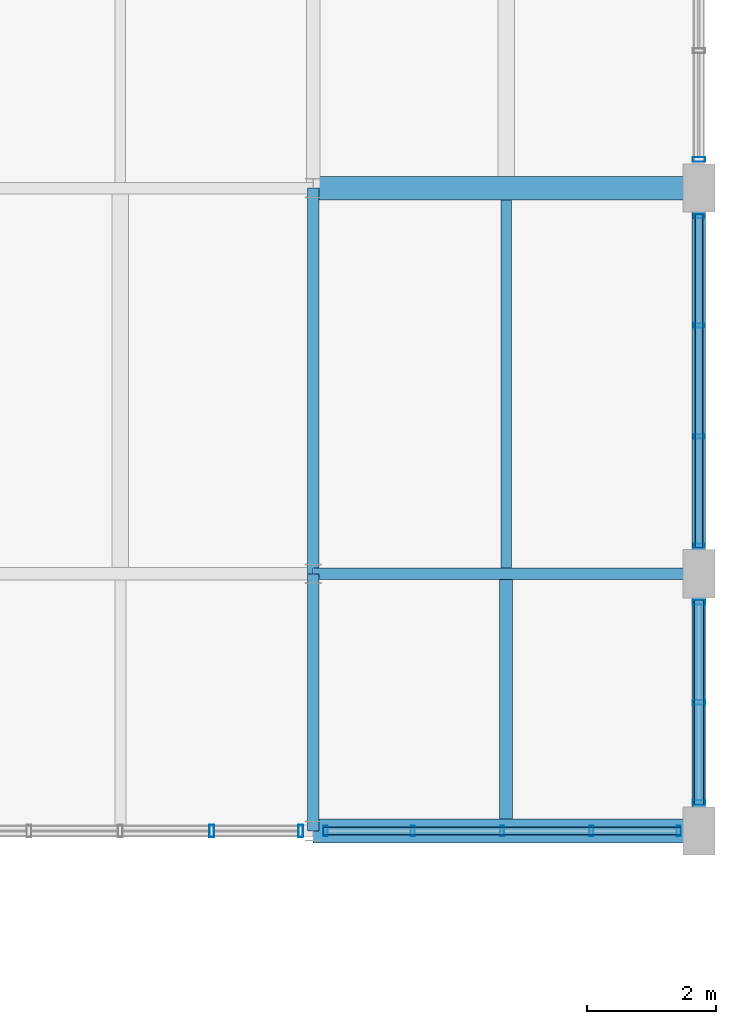
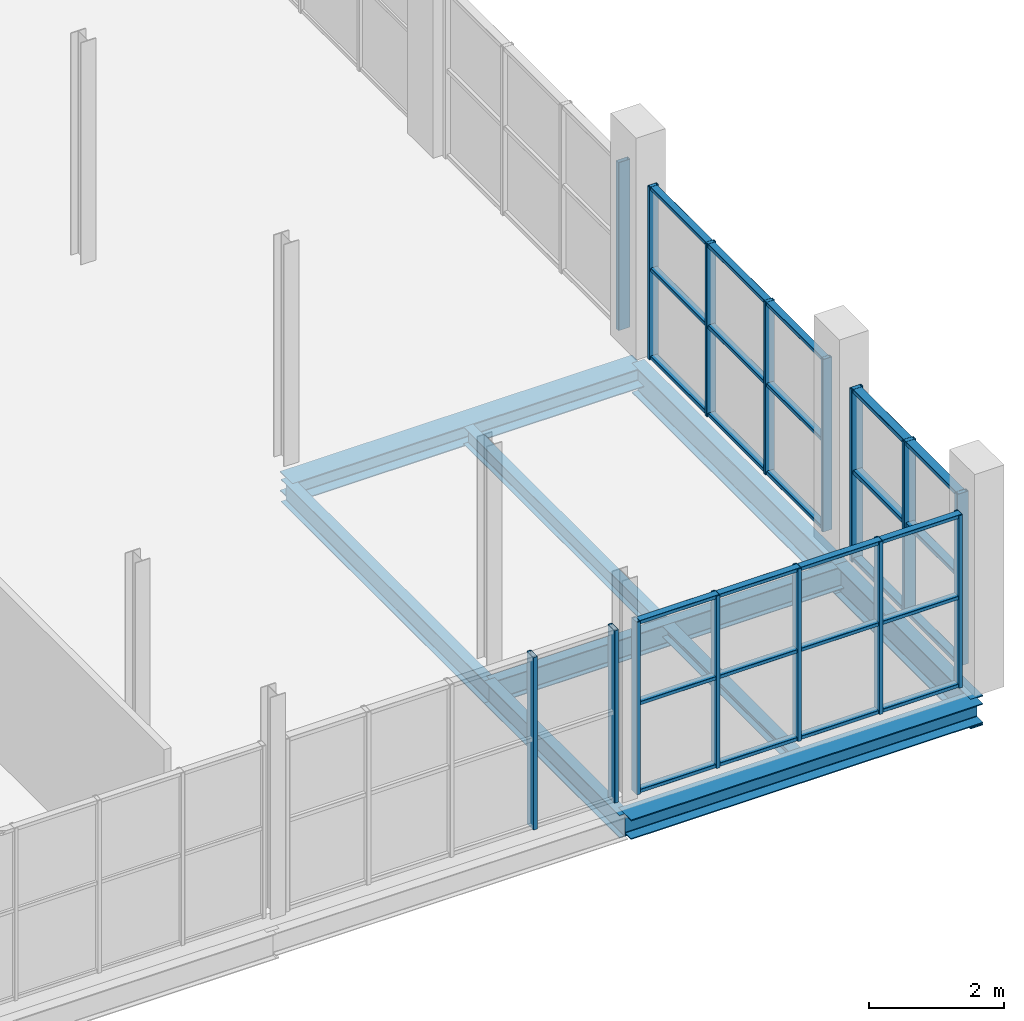
# One storey, part 65 of 96: 24 members, 9 beams, 5 elements without a shape of their own.
"""IFC4 building model written with IfcOpenShell, lengths in metres."""

import ifcopenshell
import ifcopenshell.guid

model = None  # the IFC model being written
_history = None  # IfcOwnerHistory: only IFC2X3 demands one
_inside = {}  # id of a spatial element -> (the spatial element, [elements in it])
_under = {}  # id of a project, library or spatial element -> (it, [spatial elements below it])
_declared = {}  # id of a project -> (the project, [libraries it declares])
_typed = {}  # id of a type object -> (the type object, [elements of that type])
_made_of = {}  # id of a material, layer set ... -> (it, [elements and type objects made of it])


def new_model(schema):
    """Start an empty IFC model of exactly this schema.

    Asked for "IFC4X3", IfcOpenShell would pick the latest addendum, in which some entities
    have other attributes; the version numbers below select the first issue.
    IFC2X3 requires an IfcOwnerHistory on every rooted entity: one is made here for all.
    """
    global model, _history
    if schema == "IFC4X3":
        model = ifcopenshell.file(schema_version=(4, 3, 0, 0))
    else:
        model = ifcopenshell.file(schema=schema)
    _inside.clear()
    _under.clear()
    _declared.clear()
    _typed.clear()
    _made_of.clear()
    _history = None
    if model.schema == "IFC2X3":
        org = make("IfcOrganization", Name="unknown")
        user = make(
            "IfcPersonAndOrganization",
            ThePerson=make("IfcPerson", FamilyName="unknown"),
            TheOrganization=org,
        )
        app = make(
            "IfcApplication",
            ApplicationDeveloper=org,
            Version="unknown",
            ApplicationFullName="unknown",
            ApplicationIdentifier="unknown",
        )
        _history = make(
            "IfcOwnerHistory",
            OwningUser=user,
            OwningApplication=app,
            ChangeAction="ADDED",
            CreationDate=0,
        )
    return model


def make(cls, **values):
    """One entity of the class cls with the attributes given. An attribute that is None is left unset."""
    return model.create_entity(
        cls, **{name: value for name, value in values.items() if value is not None}
    )


def rooted(cls, **values):
    """An entity with a GlobalId (a new one), such as an element, a storey or a relation."""
    return make(cls, GlobalId=ifcopenshell.guid.new(), OwnerHistory=_history, **values)


def si_unit(unit_type, name, prefix=None):
    """IfcSIUnit, for example si_unit("LENGTHUNIT", "METRE", prefix="MILLI")."""
    return make("IfcSIUnit", UnitType=unit_type, Prefix=prefix, Name=name)


def assignment(units):
    """IfcUnitAssignment: the units of a project."""
    return None if units is None else make("IfcUnitAssignment", Units=units)


def point(xyz):
    """IfcCartesianPoint."""
    return None if xyz is None else make("IfcCartesianPoint", Coordinates=xyz)


def direction(xyz):
    """IfcDirection."""
    return None if xyz is None else make("IfcDirection", DirectionRatios=xyz)


def frame(location, z_axis=None, x_axis=None):
    """IfcAxis2Placement3D, a coordinate frame: its origin and axes. An axis left out is left unset."""
    return make(
        "IfcAxis2Placement3D",
        Location=point(location),
        Axis=direction(z_axis),
        RefDirection=direction(x_axis),
    )


def frame_2d(location, x_axis=None):
    """IfcAxis2Placement2D, a coordinate frame in the plane: its origin and x axis."""
    return make(
        "IfcAxis2Placement2D", Location=point(location), RefDirection=direction(x_axis)
    )


def origin():
    """The frame at (0, 0, 0) with its axes left unset."""
    return frame((0.0, 0.0, 0.0))


def origin_2d():
    """The frame at (0, 0) in the plane with its x axis left unset."""
    return frame_2d((0.0, 0.0))


def place(relative_to, where):
    """IfcLocalPlacement: puts the frame where relative to a parent placement (None: the world)."""
    return make(
        "IfcLocalPlacement", PlacementRelTo=relative_to, RelativePlacement=where
    )


def context(
    kind, dimensions, precision=None, world=None, true_north=None, identifier=None
):
    """IfcGeometricRepresentationContext, for example the 3D "Model" context."""
    return make(
        "IfcGeometricRepresentationContext",
        ContextIdentifier=identifier,
        ContextType=kind,
        CoordinateSpaceDimension=dimensions,
        Precision=precision,
        WorldCoordinateSystem=world,
        TrueNorth=true_north,
    )


def subcontext(parent, identifier, kind, view, scale=None):
    """IfcGeometricRepresentationSubContext, for example "Body" below "Model"."""
    return make(
        "IfcGeometricRepresentationSubContext",
        ContextIdentifier=identifier,
        ContextType=kind,
        ParentContext=parent,
        TargetScale=scale,
        TargetView=view,
    )


def project(units=None, contexts=None):
    """IfcProject with its units and contexts."""
    return rooted(
        "IfcProject",
        Name="project",
        RepresentationContexts=contexts,
        UnitsInContext=assignment(units),
    )


def spatial(cls, under=None, at=None, **own):
    """A site, building, storey or space (cls), placed at a placement, below another one or the project."""
    s = rooted(cls, ObjectPlacement=at, **own)
    if under is not None:
        _under.setdefault(under.id(), (under, []))[1].append(s)
    return s


def profile(cls, at=None, kind="AREA", **sizes):
    """A parametric profile (cls). Its sizes go by their IFC names, for example OverallWidth=200.0."""
    return make(cls, ProfileType=kind, Position=at, **sizes)


def hollow_rectangle(**sizes):
    """IfcRectangleHollowProfileDef."""
    return profile("IfcRectangleHollowProfileDef", **sizes)


def i_section(**sizes):
    """IfcIShapeProfileDef."""
    return profile("IfcIShapeProfileDef", **sizes)


def extrude(swept, where, along, depth):
    """IfcExtrudedAreaSolid: the profile swept, set in the frame where, extruded along a direction by depth."""
    return make(
        "IfcExtrudedAreaSolid",
        SweptArea=swept,
        Position=where,
        ExtrudedDirection=direction(along),
        Depth=depth,
    )


def shape(context_of_items, identifier, shape_type, items):
    """IfcShapeRepresentation: the items that make up one representation, for example the "Body"."""
    return make(
        "IfcShapeRepresentation",
        ContextOfItems=context_of_items,
        RepresentationIdentifier=identifier,
        RepresentationType=shape_type,
        Items=items,
    )


def material(Name=None, Category=None):
    """IfcMaterial."""
    return make("IfcMaterial", Name=Name, Category=Category)


def material_profile(
    of_material, cross_section, Name=None, Category=None, Priority=None
):
    """IfcMaterialProfile: a cross section and its material."""
    return make(
        "IfcMaterialProfile",
        Name=Name,
        Material=of_material,
        Profile=cross_section,
        Priority=Priority,
        Category=Category,
    )


def profile_set(profiles, Name=None, composite=None):
    """IfcMaterialProfileSet."""
    return make(
        "IfcMaterialProfileSet",
        Name=Name,
        MaterialProfiles=profiles,
        CompositeProfile=composite,
    )


def made_of(thing, what):
    """Note that an element or type object is made of a material, layer set ...; save() writes the relation."""
    if what is not None:
        _made_of.setdefault(what.id(), (what, []))[1].append(thing)
    return thing


def type_object(cls, material=None, **own):
    """A type object (cls), such as IfcWallType, which elements share."""
    return made_of(rooted(cls, **own), material)


def element(
    cls,
    number,
    at=None,
    inside=None,
    cuts=None,
    type_object=None,
    material=None,
    context=None,
    identifier="Body",
    shape_type=None,
    held_by="IfcProductDefinitionShape",
    body=None,
    shapes=None,
    **own,
):
    """One element of the class cls, such as IfcWall. Its Tag is "e" and its number.

    at: its placement. inside: the storey or other place that contains it. cuts: it is an
    opening in that element (IfcRelVoidsElement). A single representation is given by context,
    identifier, shape_type and body (its items); several are given by shapes. held_by: the class
    of the entity that holds the representations. save() writes the other relations.
    """
    e = rooted(cls, Tag="e%d" % number, ObjectPlacement=at, **own)
    if body is not None:
        shapes = [shape(context, identifier, shape_type, body)]
    if shapes is not None:
        e.Representation = make(held_by, Representations=shapes)
    if inside is not None:
        _inside.setdefault(inside.id(), (inside, []))[1].append(e)
    if cuts is not None:
        rooted(
            "IfcRelVoidsElement", RelatingBuildingElement=cuts, RelatedOpeningElement=e
        )
    if type_object is not None:
        _typed.setdefault(type_object.id(), (type_object, []))[1].append(e)
    return made_of(e, material)


def aggregate(whole, parts):
    """IfcRelAggregates: a whole, such as a stair, and the parts it consists of."""
    return rooted("IfcRelAggregates", RelatingObject=whole, RelatedObjects=parts)


def save(model, path):
    """Write the relations noted so far, then the file.

    IfcRelAggregates (storeys below a building ...), IfcRelContainedInSpatialStructure (elements
    in a storey), IfcRelDefinesByType, IfcRelAssociatesMaterial and IfcRelDeclares: one each for
    every whole, place, type object, material and project.
    """
    for whole, parts in _under.values():
        aggregate(whole, parts)
    for where, things in _inside.values():
        rooted(
            "IfcRelContainedInSpatialStructure",
            RelatedElements=things,
            RelatingStructure=where,
        )
    for kind, things in _typed.values():
        rooted("IfcRelDefinesByType", RelatedObjects=things, RelatingType=kind)
    for what, things in _made_of.values():
        rooted("IfcRelAssociatesMaterial", RelatedObjects=things, RelatingMaterial=what)
    for by, libraries in _declared.values():
        rooted("IfcRelDeclares", RelatingContext=by, RelatedDefinitions=libraries)
    model.write(path)


model = new_model("IFC4")

# Units and contexts
model_context = context("Model", 3, precision=1e-05, world=origin(), true_north=direction((0.0, 1.0)))
body_context = subcontext(model_context, "Body", "Model", "MODEL_VIEW")
ifc_project = project(units=[si_unit("LENGTHUNIT", "METRE"), si_unit("AREAUNIT", "SQUARE_METRE"), si_unit("VOLUMEUNIT", "CUBIC_METRE"), si_unit("PLANEANGLEUNIT", "RADIAN"), si_unit("MASSUNIT", "GRAM", prefix="KILO")], contexts=[model_context])

# Site, building, storey
site_placement = place(None, origin())
site = spatial("IfcSite", under=ifc_project, at=site_placement, CompositionType="ELEMENT")
building_placement = place(site_placement, origin())
building = spatial("IfcBuilding", under=site, at=building_placement, Name="Verrall Gate Interchange", CompositionType="ELEMENT")
storey_placement = place(building_placement, frame((0.0, 0.0, 11.39990234375)))
storey = spatial("IfcBuildingStorey", under=building, at=storey_placement, Name="L03", CompositionType="ELEMENT", Elevation=11.39990234375)

# Beams
ifc_material_1 = material(Name="Structural Steel CSA G40.21 350W", Category="steel")
ifc_material_profile_1 = material_profile(ifc_material_1, i_section(OverallWidth=0.2109375, OverallDepth=0.5390625, WebThickness=0.01171875, FlangeThickness=0.018798828125, FilletRadius=0.013916015625, at=origin_2d()), Name="W530x109")
ifc_profile_set_1 = profile_set([ifc_material_profile_1], Name="Structural Steel CSA G40.21 350W")
beam_type_1 = type_object("IfcBeamType", Name="B-10 Structural Beam W530x109", PredefinedType="BEAM", material=ifc_profile_set_1)
beam_1_placement = place(storey_placement, frame((168.0, 12.0, -0.599365234375), z_axis=(0.0, 1.0, 0.0), x_axis=(-1.0, 0.0, 0.0)))
element("IfcBeam", 1, at=beam_1_placement, inside=storey, type_object=beam_type_1, Name="L03 Girder BM-L03-2371 (B-10)", PredefinedType="BEAM", context=body_context, shape_type="SweptSolid", body=[
    extrude(i_section(OverallWidth=0.2109375, OverallDepth=0.5390625, WebThickness=0.01171875, FlangeThickness=0.018798828125, FilletRadius=0.013916015625, at=origin_2d()), origin(), (0.0, 0.0, 1.0), 4.0),
])
beam_2_placement = place(storey_placement, frame((168.0, 16.0, -0.599365234375), z_axis=(0.0, 1.0, 0.0), x_axis=(-1.0, 0.0, 0.0)))
element("IfcBeam", 2, at=beam_2_placement, inside=storey, type_object=beam_type_1, Name="L03 Girder BM-L03-2372 (B-10)", PredefinedType="BEAM", context=body_context, shape_type="SweptSolid", body=[
    extrude(i_section(OverallWidth=0.2109375, OverallDepth=0.5390625, WebThickness=0.01171875, FlangeThickness=0.018798828125, FilletRadius=0.013916015625, at=origin_2d()), origin(), (0.0, 0.0, 1.0), 6.0),
])
ifc_material_2 = material(Name="Structural Steel CSA G40.21 350W", Category="steel")
ifc_material_profile_2 = material_profile(ifc_material_2, i_section(OverallWidth=0.178955078125, OverallDepth=0.409912109375, WebThickness=0.0087890625, FlangeThickness=0.014404296875, FilletRadius=0.011962890625, at=origin_2d()), Name="W410x67")
ifc_profile_set_2 = profile_set([ifc_material_profile_2], Name="Structural Steel CSA G40.21 350W")
beam_type_2 = type_object("IfcBeamType", Name="B-12 Structural Beam W410x67", PredefinedType="BEAM", material=ifc_profile_set_2)
beam_3_placement = place(storey_placement, frame((162.0, 16.0, -0.534912109375), z_axis=(1.0, 0.0, 0.0), x_axis=(0.0, 1.0, 0.0)))
element("IfcBeam", 3, at=beam_3_placement, inside=storey, type_object=beam_type_2, Name="L03 Girder BM-L03-2043 (B-12)", PredefinedType="BEAM", context=body_context, shape_type="SweptSolid", body=[
    extrude(i_section(OverallWidth=0.178955078125, OverallDepth=0.409912109375, WebThickness=0.0087890625, FlangeThickness=0.014404296875, FilletRadius=0.011962890625, at=origin_2d()), origin(), (0.0, 0.0, 1.0), 6.0),
])
beam_4_placement = place(storey_placement, frame((162.0, 12.0, -0.534912109375), z_axis=(0.0, 1.0, 0.0), x_axis=(-1.0, 0.0, 0.0)))
element("IfcBeam", 4, at=beam_4_placement, inside=storey, type_object=beam_type_2, Name="L03 Girder BM-L03-2363 (B-12)", PredefinedType="BEAM", context=body_context, shape_type="SweptSolid", body=[
    extrude(i_section(OverallWidth=0.178955078125, OverallDepth=0.409912109375, WebThickness=0.0087890625, FlangeThickness=0.014404296875, FilletRadius=0.011962890625, at=origin_2d()), origin(), (0.0, 0.0, 1.0), 4.0),
])
beam_5_placement = place(storey_placement, frame((162.0, 16.0, -0.534912109375), z_axis=(0.0, 1.0, 0.0), x_axis=(-1.0, 0.0, 0.0)))
element("IfcBeam", 5, at=beam_5_placement, inside=storey, type_object=beam_type_2, Name="L03 Girder BM-L03-2364 (B-12)", PredefinedType="BEAM", context=body_context, shape_type="SweptSolid", body=[
    extrude(i_section(OverallWidth=0.178955078125, OverallDepth=0.409912109375, WebThickness=0.0087890625, FlangeThickness=0.014404296875, FilletRadius=0.011962890625, at=origin_2d()), origin(), (0.0, 0.0, 1.0), 6.0),
])
ifc_material_3 = material(Name="Structural Steel CSA G40.21 350W", Category="steel")
ifc_material_profile_3 = material_profile(ifc_material_3, i_section(OverallWidth=0.368896484375, OverallDepth=0.35595703125, WebThickness=0.01123046875, FlangeThickness=0.01806640625, FilletRadius=0.014892578125, at=origin_2d()), Name="W360x134")
ifc_profile_set_3 = profile_set([ifc_material_profile_3], Name="Structural Steel CSA G40.21 350W")
beam_type_3 = type_object("IfcBeamType", Name="B-13 Structural Beam W360x134", PredefinedType="BEAM", material=ifc_profile_set_3)
for number, where, z_axis, x_axis, name in (
    (6, (162.0, 12.0, -0.5078125), (1.0, 0.0, 0.0), (0.0, 1.0, 0.0), "L03 Girder BM-L03-2026 (B-13)"),
    (7, (162.0, 22.0, -0.5078125), (1.0, 0.0, 0.0), (0.0, 1.0, 0.0), "L03 Girder BM-L03-2054 (B-13)"),
):
    element("IfcBeam", number, at=place(storey_placement, frame(where, z_axis=z_axis, x_axis=x_axis)), inside=storey, type_object=beam_type_3, Name=name, PredefinedType="BEAM", context=body_context, shape_type="SweptSolid", body=[
        extrude(i_section(OverallWidth=0.368896484375, OverallDepth=0.35595703125, WebThickness=0.01123046875, FlangeThickness=0.01806640625, FilletRadius=0.014892578125, at=origin_2d()), origin(), (0.0, 0.0, 1.0), 6.0),
    ])

# Curtain wall, members
ifc_material_4 = material(Name="Thermally Broken Anodized Aluminium Curtain Wall Framing", Category="aluminium")
curtain_wall_type_1 = type_object("IfcCurtainWallType", Name="CW-36 Unitized Curtain Wall 5559x3110", PredefinedType="NOTDEFINED", material=ifc_material_4)
curtain_wall_1_placement = place(storey_placement, origin())
curtain_wall_1 = element("IfcCurtainWall", 8, at=curtain_wall_1_placement, inside=storey, type_object=curtain_wall_type_1, Name="L03 Unitized Curtain Wall CW-L03-114", PredefinedType="NOTDEFINED")
ifc_material_5 = material(Name="Thermally Broken Anodized Aluminium Curtain Wall Framing", Category="aluminium")
ifc_material_profile_4 = material_profile(ifc_material_5, hollow_rectangle(XDim=0.06494140625, YDim=0.159912109375, WallThickness=0.00390625, InnerFilletRadius=0.00390625, OuterFilletRadius=0.008056640625, at=origin_2d()), Name="CWM160x65x4")
ifc_profile_set_4 = profile_set([ifc_material_profile_4], Name="Thermally Broken Anodized Aluminium Curtain Wall Framing")
member_type_1 = type_object("IfcMemberType", Name="CM-01 Curtain Mullion CWM160x65x4", PredefinedType="MULLION", material=ifc_profile_set_4)
member_1_placement = place(storey_placement, frame((162.19140625, 12.0, 0.0), z_axis=(0.0, 0.0, 1.0), x_axis=(1.0, 0.0, 0.0)))
member_1 = element("IfcMember", 9, at=member_1_placement, type_object=member_type_1, Name="CW-L03-114 Mullion 1", PredefinedType="MULLION", context=body_context, shape_type="SweptSolid", body=[
    extrude(hollow_rectangle(XDim=0.06494140625, YDim=0.159912109375, WallThickness=0.00390625, InnerFilletRadius=0.00390625, OuterFilletRadius=0.008056640625, at=origin_2d()), origin(), (0.0, 0.0, 1.0), 3.110107421875),
])
member_2_placement = place(storey_placement, frame((163.548828125, 12.0, 0.0), z_axis=(0.0, 0.0, 1.0), x_axis=(1.0, 0.0, 0.0)))
member_2 = element("IfcMember", 10, at=member_2_placement, type_object=member_type_1, Name="CW-L03-114 Mullion 2", PredefinedType="MULLION", context=body_context, shape_type="SweptSolid", body=[
    extrude(hollow_rectangle(XDim=0.06494140625, YDim=0.159912109375, WallThickness=0.00390625, InnerFilletRadius=0.00390625, OuterFilletRadius=0.008056640625, at=origin_2d()), origin(), (0.0, 0.0, 1.0), 3.110107421875),
])
member_3_placement = place(storey_placement, frame((164.9384765625, 12.0, 0.0), z_axis=(0.0, 0.0, 1.0), x_axis=(1.0, 0.0, 0.0)))
member_3 = element("IfcMember", 11, at=member_3_placement, type_object=member_type_1, Name="CW-L03-114 Mullion 3", PredefinedType="MULLION", context=body_context, shape_type="SweptSolid", body=[
    extrude(hollow_rectangle(XDim=0.06494140625, YDim=0.159912109375, WallThickness=0.00390625, InnerFilletRadius=0.00390625, OuterFilletRadius=0.008056640625, at=origin_2d()), origin(), (0.0, 0.0, 1.0), 3.110107421875),
])
member_4_placement = place(storey_placement, frame((166.328125, 12.0, 0.0), z_axis=(0.0, 0.0, 1.0), x_axis=(1.0, 0.0, 0.0)))
member_4 = element("IfcMember", 12, at=member_4_placement, type_object=member_type_1, Name="CW-L03-114 Mullion 4", PredefinedType="MULLION", context=body_context, shape_type="SweptSolid", body=[
    extrude(hollow_rectangle(XDim=0.06494140625, YDim=0.159912109375, WallThickness=0.00390625, InnerFilletRadius=0.00390625, OuterFilletRadius=0.008056640625, at=origin_2d()), origin(), (0.0, 0.0, 1.0), 3.110107421875),
])
member_5_placement = place(storey_placement, frame((167.685546875, 12.0, 0.0), z_axis=(0.0, 0.0, 1.0), x_axis=(1.0, 0.0, 0.0)))
member_5 = element("IfcMember", 13, at=member_5_placement, type_object=member_type_1, Name="CW-L03-114 Mullion 5", PredefinedType="MULLION", context=body_context, shape_type="SweptSolid", body=[
    extrude(hollow_rectangle(XDim=0.06494140625, YDim=0.159912109375, WallThickness=0.00390625, InnerFilletRadius=0.00390625, OuterFilletRadius=0.008056640625, at=origin_2d()), origin(), (0.0, 0.0, 1.0), 3.110107421875),
])

ifc_material_6 = material(Name="Thermally Broken Anodized Aluminium Curtain Wall Framing", Category="aluminium")
curtain_wall_type_2 = type_object("IfcCurtainWallType", Name="CW-38 Unitized Curtain Wall 5186x3110", PredefinedType="NOTDEFINED", material=ifc_material_6)
curtain_wall_2_placement = place(storey_placement, origin())
curtain_wall_2 = element("IfcCurtainWall", 14, at=curtain_wall_2_placement, inside=storey, type_object=curtain_wall_type_2, Name="L03 Unitized Curtain Wall CW-L03-116", PredefinedType="NOTDEFINED")
member_6_placement = place(storey_placement, frame((168.0, 16.439453125, 0.0), z_axis=(0.0, 0.0, 1.0), x_axis=(0.0, 1.0, 0.0)))
member_6 = element("IfcMember", 15, at=member_6_placement, type_object=member_type_1, Name="CW-L03-116 Mullion 1", PredefinedType="MULLION", context=body_context, shape_type="SweptSolid", body=[
    extrude(hollow_rectangle(XDim=0.06494140625, YDim=0.159912109375, WallThickness=0.00390625, InnerFilletRadius=0.00390625, OuterFilletRadius=0.008056640625, at=origin_2d()), origin(), (0.0, 0.0, 1.0), 3.110107421875),
])
member_7_placement = place(storey_placement, frame((168.0, 18.1357421875, 0.0), z_axis=(0.0, 0.0, 1.0), x_axis=(0.0, 1.0, 0.0)))
member_7 = element("IfcMember", 16, at=member_7_placement, type_object=member_type_1, Name="CW-L03-116 Mullion 2", PredefinedType="MULLION", context=body_context, shape_type="SweptSolid", body=[
    extrude(hollow_rectangle(XDim=0.06494140625, YDim=0.159912109375, WallThickness=0.00390625, InnerFilletRadius=0.00390625, OuterFilletRadius=0.008056640625, at=origin_2d()), origin(), (0.0, 0.0, 1.0), 3.110107421875),
])
member_8_placement = place(storey_placement, frame((168.0, 19.8642578125, 0.0), z_axis=(0.0, 0.0, 1.0), x_axis=(0.0, 1.0, 0.0)))
member_8 = element("IfcMember", 17, at=member_8_placement, type_object=member_type_1, Name="CW-L03-116 Mullion 3", PredefinedType="MULLION", context=body_context, shape_type="SweptSolid", body=[
    extrude(hollow_rectangle(XDim=0.06494140625, YDim=0.159912109375, WallThickness=0.00390625, InnerFilletRadius=0.00390625, OuterFilletRadius=0.008056640625, at=origin_2d()), origin(), (0.0, 0.0, 1.0), 3.110107421875),
])
member_9_placement = place(storey_placement, frame((168.0, 21.560546875, 0.0), z_axis=(0.0, 0.0, 1.0), x_axis=(0.0, 1.0, 0.0)))
member_9 = element("IfcMember", 18, at=member_9_placement, type_object=member_type_1, Name="CW-L03-116 Mullion 4", PredefinedType="MULLION", context=body_context, shape_type="SweptSolid", body=[
    extrude(hollow_rectangle(XDim=0.06494140625, YDim=0.159912109375, WallThickness=0.00390625, InnerFilletRadius=0.00390625, OuterFilletRadius=0.008056640625, at=origin_2d()), origin(), (0.0, 0.0, 1.0), 3.110107421875),
])

ifc_material_7 = material(Name="Thermally Broken Anodized Aluminium Curtain Wall Framing", Category="aluminium")
curtain_wall_type_3 = type_object("IfcCurtainWallType", Name="CW-31 Unitized Curtain Wall 5682x3110", PredefinedType="NOTDEFINED", material=ifc_material_7)
curtain_wall_3_placement = place(storey_placement, origin())
curtain_wall_3 = element("IfcCurtainWall", 19, at=curtain_wall_3_placement, inside=storey, type_object=curtain_wall_type_3, Name="L03 Unitized Curtain Wall CW-L03-113", PredefinedType="NOTDEFINED")
ifc_material_8 = material(Name="Thermally Broken Anodized Aluminium Curtain Wall Framing", Category="aluminium")
ifc_material_profile_5 = material_profile(ifc_material_8, hollow_rectangle(XDim=0.074951171875, YDim=0.199951171875, WallThickness=0.0048828125, InnerFilletRadius=0.0048828125, OuterFilletRadius=0.010009765625, at=origin_2d()), Name="CWM200x75x5")
ifc_profile_set_5 = profile_set([ifc_material_profile_5], Name="Thermally Broken Anodized Aluminium Curtain Wall Framing")
member_type_2 = type_object("IfcMemberType", Name="CM-02 Curtain Mullion CWM200x75x5", PredefinedType="MULLION", material=ifc_profile_set_5)
member_10_placement = place(storey_placement, frame((160.42041015625, 12.0, 0.0), z_axis=(0.0, 0.0, 1.0), x_axis=(1.0, 0.0, 0.0)))
member_10 = element("IfcMember", 20, at=member_10_placement, type_object=member_type_2, Name="CW-L03-113 Mullion 4", PredefinedType="MULLION", context=body_context, shape_type="SweptSolid", body=[
    extrude(hollow_rectangle(XDim=0.074951171875, YDim=0.199951171875, WallThickness=0.0048828125, InnerFilletRadius=0.0048828125, OuterFilletRadius=0.010009765625, at=origin_2d()), origin(), (0.0, 0.0, 1.0), 3.110107421875),
])
member_11_placement = place(storey_placement, frame((161.803466796875, 12.0, 0.0), z_axis=(0.0, 0.0, 1.0), x_axis=(1.0, 0.0, 0.0)))
member_11 = element("IfcMember", 21, at=member_11_placement, type_object=member_type_2, Name="CW-L03-113 Mullion 5", PredefinedType="MULLION", context=body_context, shape_type="SweptSolid", body=[
    extrude(hollow_rectangle(XDim=0.074951171875, YDim=0.199951171875, WallThickness=0.0048828125, InnerFilletRadius=0.0048828125, OuterFilletRadius=0.010009765625, at=origin_2d()), origin(), (0.0, 0.0, 1.0), 3.110107421875),
])
aggregate(curtain_wall_3, [member_10, member_11])

ifc_material_9 = material(Name="Thermally Broken Anodized Aluminium Curtain Wall Framing", Category="aluminium")
curtain_wall_type_4 = type_object("IfcCurtainWallType", Name="CW-37 Unitized Curtain Wall 3186x3110", PredefinedType="NOTDEFINED", material=ifc_material_9)
curtain_wall_4_placement = place(storey_placement, origin())
curtain_wall_4 = element("IfcCurtainWall", 22, at=curtain_wall_4_placement, inside=storey, type_object=curtain_wall_type_4, Name="L03 Unitized Curtain Wall CW-L03-115", PredefinedType="NOTDEFINED")
member_12_placement = place(storey_placement, frame((168.0, 12.444580078125, 0.0), z_axis=(0.0, 0.0, 1.0), x_axis=(0.0, 1.0, 0.0)))
member_12 = element("IfcMember", 23, at=member_12_placement, type_object=member_type_2, Name="CW-L03-115 Mullion 1", PredefinedType="MULLION", context=body_context, shape_type="SweptSolid", body=[
    extrude(hollow_rectangle(XDim=0.074951171875, YDim=0.199951171875, WallThickness=0.0048828125, InnerFilletRadius=0.0048828125, OuterFilletRadius=0.010009765625, at=origin_2d()), origin(), (0.0, 0.0, 1.0), 3.110107421875),
])
member_13_placement = place(storey_placement, frame((168.0, 14.0, 0.0), z_axis=(0.0, 0.0, 1.0), x_axis=(0.0, 1.0, 0.0)))
member_13 = element("IfcMember", 24, at=member_13_placement, type_object=member_type_2, Name="CW-L03-115 Mullion 2", PredefinedType="MULLION", context=body_context, shape_type="SweptSolid", body=[
    extrude(hollow_rectangle(XDim=0.074951171875, YDim=0.199951171875, WallThickness=0.0048828125, InnerFilletRadius=0.0048828125, OuterFilletRadius=0.010009765625, at=origin_2d()), origin(), (0.0, 0.0, 1.0), 3.110107421875),
])
member_14_placement = place(storey_placement, frame((168.0, 15.555419921875, 0.0), z_axis=(0.0, 0.0, 1.0), x_axis=(0.0, 1.0, 0.0)))
member_14 = element("IfcMember", 25, at=member_14_placement, type_object=member_type_2, Name="CW-L03-115 Mullion 3", PredefinedType="MULLION", context=body_context, shape_type="SweptSolid", body=[
    extrude(hollow_rectangle(XDim=0.074951171875, YDim=0.199951171875, WallThickness=0.0048828125, InnerFilletRadius=0.0048828125, OuterFilletRadius=0.010009765625, at=origin_2d()), origin(), (0.0, 0.0, 1.0), 3.110107421875),
])

# Curtain wall, member
ifc_material_10 = material(Name="Thermally Broken Anodized Aluminium Curtain Wall Framing", Category="aluminium")
curtain_wall_type_5 = type_object("IfcCurtainWallType", Name="CW-39 Unitized Curtain Wall 5186x3030", PredefinedType="NOTDEFINED", material=ifc_material_10)
curtain_wall_5_placement = place(storey_placement, origin())
curtain_wall_5 = element("IfcCurtainWall", 26, at=curtain_wall_5_placement, inside=storey, type_object=curtain_wall_type_5, Name="L03 Unitized Curtain Wall CW-L03-117", PredefinedType="NOTDEFINED")
member_15_placement = place(storey_placement, frame((168.0, 22.444580078125, 0.0), z_axis=(0.0, 0.0, 1.0), x_axis=(0.0, 1.0, 0.0)))
member_15 = element("IfcMember", 27, at=member_15_placement, type_object=member_type_2, Name="CW-L03-117 Mullion 1", PredefinedType="MULLION", context=body_context, shape_type="SweptSolid", body=[
    extrude(hollow_rectangle(XDim=0.074951171875, YDim=0.199951171875, WallThickness=0.0048828125, InnerFilletRadius=0.0048828125, OuterFilletRadius=0.010009765625, at=origin_2d()), origin(), (0.0, 0.0, 1.0), 3.030029296875),
])
aggregate(curtain_wall_5, [member_15])

# Member
ifc_material_11 = material(Name="Thermally Broken Anodized Aluminium Curtain Wall Framing", Category="aluminium")
ifc_material_profile_6 = material_profile(ifc_material_11, hollow_rectangle(XDim=0.1201171875, YDim=0.06494140625, WallThickness=0.00390625, InnerFilletRadius=0.00390625, OuterFilletRadius=0.008056640625, at=origin_2d()), Name="CWT120x65x4")
ifc_profile_set_6 = profile_set([ifc_material_profile_6], Name="Thermally Broken Anodized Aluminium Curtain Wall Framing")
member_type_3 = type_object("IfcMemberType", Name="CT-01 Curtain Transom CWT120x65x4", PredefinedType="USERDEFINED", material=ifc_profile_set_6)
member_16_placement = place(storey_placement, frame((162.158935546875, 12.0, 0.03271484375), z_axis=(1.0, 0.0, 0.0), x_axis=(0.0, 1.0, 0.0)))
member_16 = element("IfcMember", 28, at=member_16_placement, type_object=member_type_3, Name="CW-L03-114 Transom 1", ObjectType="TRANSOM", PredefinedType="USERDEFINED", context=body_context, shape_type="SweptSolid", body=[
    extrude(hollow_rectangle(XDim=0.1201171875, YDim=0.06494140625, WallThickness=0.00390625, InnerFilletRadius=0.00390625, OuterFilletRadius=0.008056640625, at=origin_2d()), origin(), (0.0, 0.0, 1.0), 5.55908203125),
])

member_17_placement = place(storey_placement, frame((162.158935546875, 12.0, 1.6171875), z_axis=(1.0, 0.0, 0.0), x_axis=(0.0, 1.0, 0.0)))
member_17 = element("IfcMember", 29, at=member_17_placement, type_object=member_type_3, Name="CW-L03-114 Transom 2", ObjectType="TRANSOM", PredefinedType="USERDEFINED", context=body_context, shape_type="SweptSolid", body=[
    extrude(hollow_rectangle(XDim=0.1201171875, YDim=0.06494140625, WallThickness=0.00390625, InnerFilletRadius=0.00390625, OuterFilletRadius=0.008056640625, at=origin_2d()), origin(), (0.0, 0.0, 1.0), 5.55908203125),
])

member_18_placement = place(storey_placement, frame((162.158935546875, 12.0, 3.07763671875), z_axis=(1.0, 0.0, 0.0), x_axis=(0.0, 1.0, 0.0)))
member_18 = element("IfcMember", 30, at=member_18_placement, type_object=member_type_3, Name="CW-L03-114 Transom 3", ObjectType="TRANSOM", PredefinedType="USERDEFINED", context=body_context, shape_type="SweptSolid", body=[
    extrude(hollow_rectangle(XDim=0.1201171875, YDim=0.06494140625, WallThickness=0.00390625, InnerFilletRadius=0.00390625, OuterFilletRadius=0.008056640625, at=origin_2d()), origin(), (0.0, 0.0, 1.0), 5.55908203125),
])

aggregate(curtain_wall_1, [member_1, member_2, member_3, member_4, member_5, member_16, member_17, member_18])

member_19_placement = place(storey_placement, frame((168.0, 16.406982421875, 0.03271484375), z_axis=(0.0, 1.0, 0.0), x_axis=(-1.0, 0.0, 0.0)))
member_19 = element("IfcMember", 31, at=member_19_placement, type_object=member_type_3, Name="CW-L03-116 Transom 1", ObjectType="TRANSOM", PredefinedType="USERDEFINED", context=body_context, shape_type="SweptSolid", body=[
    extrude(hollow_rectangle(XDim=0.1201171875, YDim=0.06494140625, WallThickness=0.00390625, InnerFilletRadius=0.00390625, OuterFilletRadius=0.008056640625, at=origin_2d()), origin(), (0.0, 0.0, 1.0), 5.18603515625),
])

member_20_placement = place(storey_placement, frame((168.0, 16.406982421875, 1.6171875), z_axis=(0.0, 1.0, 0.0), x_axis=(-1.0, 0.0, 0.0)))
member_20 = element("IfcMember", 32, at=member_20_placement, type_object=member_type_3, Name="CW-L03-116 Transom 2", ObjectType="TRANSOM", PredefinedType="USERDEFINED", context=body_context, shape_type="SweptSolid", body=[
    extrude(hollow_rectangle(XDim=0.1201171875, YDim=0.06494140625, WallThickness=0.00390625, InnerFilletRadius=0.00390625, OuterFilletRadius=0.008056640625, at=origin_2d()), origin(), (0.0, 0.0, 1.0), 5.18603515625),
])

member_21_placement = place(storey_placement, frame((168.0, 16.406982421875, 3.07763671875), z_axis=(0.0, 1.0, 0.0), x_axis=(-1.0, 0.0, 0.0)))
member_21 = element("IfcMember", 33, at=member_21_placement, type_object=member_type_3, Name="CW-L03-116 Transom 3", ObjectType="TRANSOM", PredefinedType="USERDEFINED", context=body_context, shape_type="SweptSolid", body=[
    extrude(hollow_rectangle(XDim=0.1201171875, YDim=0.06494140625, WallThickness=0.00390625, InnerFilletRadius=0.00390625, OuterFilletRadius=0.008056640625, at=origin_2d()), origin(), (0.0, 0.0, 1.0), 5.18603515625),
])

aggregate(curtain_wall_2, [member_6, member_7, member_8, member_9, member_19, member_20, member_21])

ifc_material_12 = material(Name="Thermally Broken Anodized Aluminium Curtain Wall Framing", Category="aluminium")
ifc_material_profile_7 = material_profile(ifc_material_12, hollow_rectangle(XDim=0.14990234375, YDim=0.074951171875, WallThickness=0.00439453125, InnerFilletRadius=0.00439453125, OuterFilletRadius=0.009033203125, at=origin_2d()), Name="CWT150x75x4.5")
ifc_profile_set_7 = profile_set([ifc_material_profile_7], Name="Thermally Broken Anodized Aluminium Curtain Wall Framing")
member_type_4 = type_object("IfcMemberType", Name="CT-02 Curtain Transom CWT150x75x4.5", PredefinedType="USERDEFINED", material=ifc_profile_set_7)
member_22_placement = place(storey_placement, frame((168.0, 12.406982421875, 0.03759765625), z_axis=(0.0, 1.0, 0.0), x_axis=(-1.0, 0.0, 0.0)))
member_22 = element("IfcMember", 34, at=member_22_placement, type_object=member_type_4, Name="CW-L03-115 Transom 1", ObjectType="TRANSOM", PredefinedType="USERDEFINED", context=body_context, shape_type="SweptSolid", body=[
    extrude(hollow_rectangle(XDim=0.14990234375, YDim=0.074951171875, WallThickness=0.00439453125, InnerFilletRadius=0.00439453125, OuterFilletRadius=0.009033203125, at=origin_2d()), origin(), (0.0, 0.0, 1.0), 3.18603515625),
])

member_23_placement = place(storey_placement, frame((168.0, 12.406982421875, 1.6171875), z_axis=(0.0, 1.0, 0.0), x_axis=(-1.0, 0.0, 0.0)))
member_23 = element("IfcMember", 35, at=member_23_placement, type_object=member_type_4, Name="CW-L03-115 Transom 2", ObjectType="TRANSOM", PredefinedType="USERDEFINED", context=body_context, shape_type="SweptSolid", body=[
    extrude(hollow_rectangle(XDim=0.14990234375, YDim=0.074951171875, WallThickness=0.00439453125, InnerFilletRadius=0.00439453125, OuterFilletRadius=0.009033203125, at=origin_2d()), origin(), (0.0, 0.0, 1.0), 3.18603515625),
])

member_24_placement = place(storey_placement, frame((168.0, 12.406982421875, 3.072509765625), z_axis=(0.0, 1.0, 0.0), x_axis=(-1.0, 0.0, 0.0)))
member_24 = element("IfcMember", 36, at=member_24_placement, type_object=member_type_4, Name="CW-L03-115 Transom 3", ObjectType="TRANSOM", PredefinedType="USERDEFINED", context=body_context, shape_type="SweptSolid", body=[
    extrude(hollow_rectangle(XDim=0.14990234375, YDim=0.074951171875, WallThickness=0.00439453125, InnerFilletRadius=0.00439453125, OuterFilletRadius=0.009033203125, at=origin_2d()), origin(), (0.0, 0.0, 1.0), 3.18603515625),
])

aggregate(curtain_wall_4, [member_12, member_13, member_14, member_22, member_23, member_24])

# Beams
ifc_material_13 = material(Name="Structural Steel CSA G40.21 350W", Category="steel")
ifc_material_profile_8 = material_profile(ifc_material_13, i_section(OverallWidth=0.1650390625, OverallDepth=0.31005859375, WebThickness=0.005859375, FlangeThickness=0.009765625, FilletRadius=0.010009765625, at=origin_2d()), Name="W310x39")
ifc_profile_set_8 = profile_set([ifc_material_profile_8], Name="Structural Steel CSA G40.21 350W")
beam_type_4 = type_object("IfcBeamType", Name="J-04 Floor Joist W310x39", PredefinedType="JOIST", material=ifc_profile_set_8)
beam_6_placement = place(storey_placement, frame((165.0, 16.089599609375, -0.48486328125), z_axis=(0.0, 1.0, 0.0), x_axis=(-1.0, 0.0, 0.0)))
element("IfcBeam", 37, at=beam_6_placement, inside=storey, type_object=beam_type_4, Name="L03 Secondary Floor Joist JST-L03-2430", PredefinedType="JOIST", context=body_context, shape_type="SweptSolid", body=[
    extrude(i_section(OverallWidth=0.1650390625, OverallDepth=0.31005859375, WebThickness=0.005859375, FlangeThickness=0.009765625, FilletRadius=0.010009765625, at=origin_2d()), origin(), (0.0, 0.0, 1.0), 5.725830078125),
])
ifc_material_14 = material(Name="Structural Steel CSA G40.21 350W", Category="steel")
ifc_material_profile_9 = material_profile(ifc_material_14, i_section(OverallWidth=0.202880859375, OverallDepth=0.202880859375, WebThickness=0.007080078125, FlangeThickness=0.010986328125, FilletRadius=0.010009765625, at=origin_2d()), Name="W200x46")
ifc_profile_set_9 = profile_set([ifc_material_profile_9], Name="Structural Steel CSA G40.21 350W")
beam_type_5 = type_object("IfcBeamType", Name="J-07 Floor Joist W200x46", PredefinedType="JOIST", material=ifc_profile_set_9)
beam_7_placement = place(storey_placement, frame((165.0, 12.1845703125, -0.431396484375), z_axis=(0.0, 1.0, 0.0), x_axis=(-1.0, 0.0, 0.0)))
element("IfcBeam", 38, at=beam_7_placement, inside=storey, type_object=beam_type_5, Name="L03 Secondary Floor Joist JST-L03-2423", PredefinedType="JOIST", context=body_context, shape_type="SweptSolid", body=[
    extrude(i_section(OverallWidth=0.202880859375, OverallDepth=0.202880859375, WebThickness=0.007080078125, FlangeThickness=0.010986328125, FilletRadius=0.010009765625, at=origin_2d()), origin(), (0.0, 0.0, 1.0), 3.725830078125),
])

save(model, "model.ifc")
